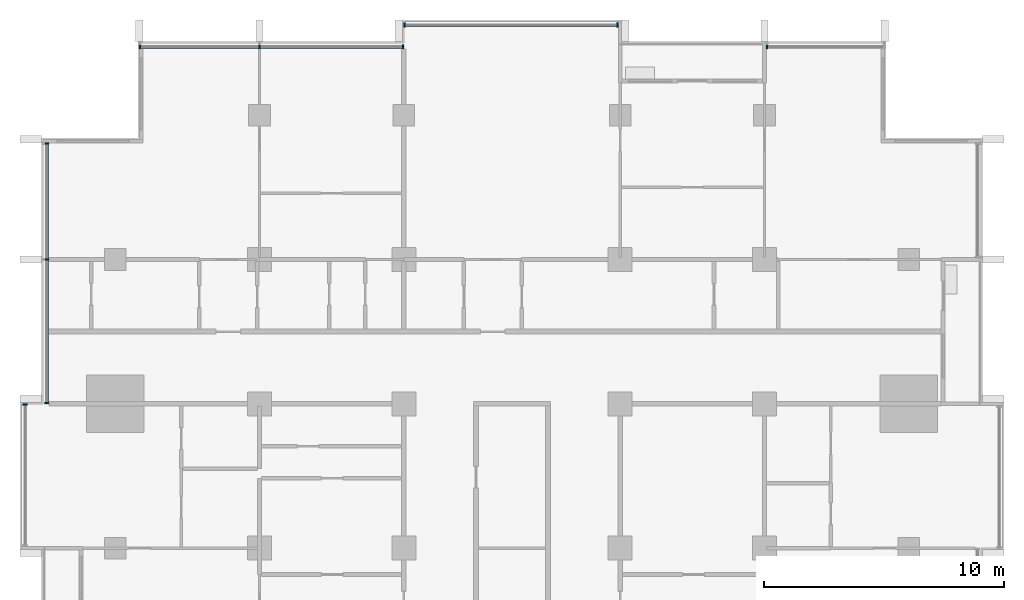
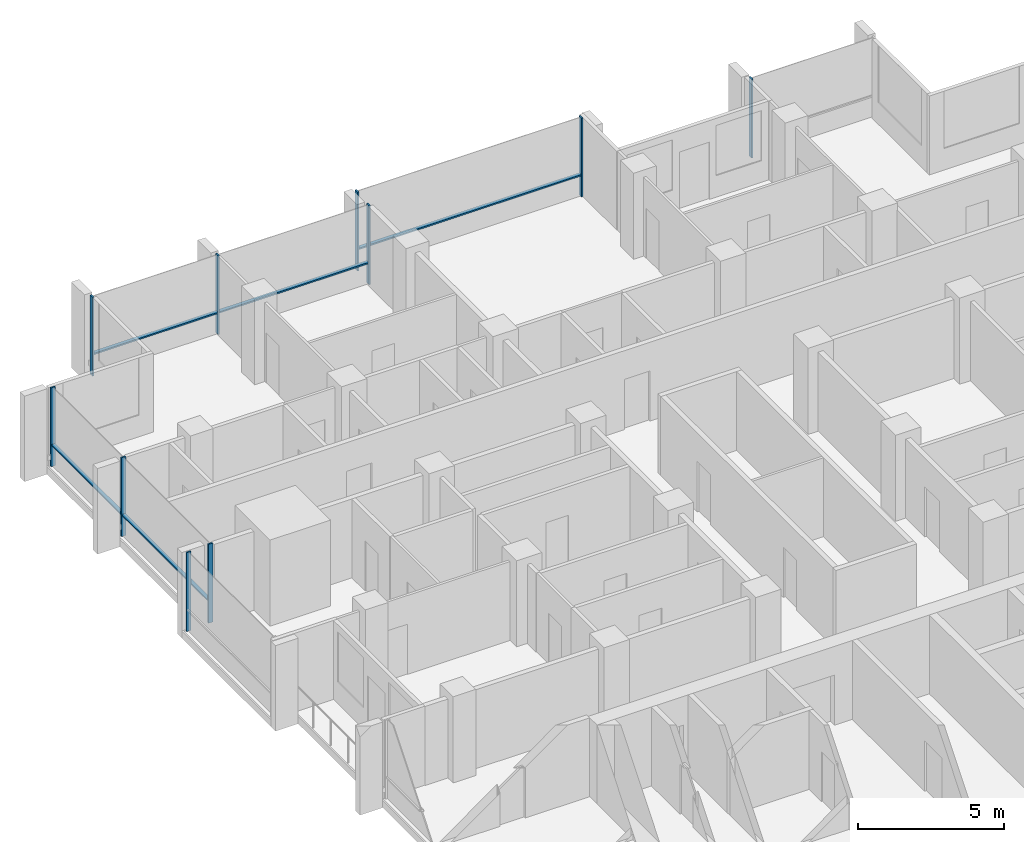
# One storey, part 4 of 17: 15 members, 5 elements without a shape of their own.
"""IFC4 building model written with IfcOpenShell, lengths in metres."""

from ifc_helpers import new_model, si_unit, direction, frame, origin, origin_2d, place, context, subcontext, project, spatial, rectangle, extrude, material, material_profile, profile_set, type_object, element, aggregate, save


model = new_model("IFC4")

# Units and contexts
model_context = context("Model", 3, precision=1e-05, world=origin(), true_north=direction((0.0, 1.0)))
body_context = subcontext(model_context, "Body", "Model", "MODEL_VIEW")
ifc_project = project(units=[si_unit("LENGTHUNIT", "METRE"), si_unit("AREAUNIT", "SQUARE_METRE"), si_unit("VOLUMEUNIT", "CUBIC_METRE"), si_unit("PLANEANGLEUNIT", "RADIAN"), si_unit("MASSUNIT", "GRAM", prefix="KILO")], contexts=[model_context])

# Site, building, storey
site_placement = place(None, origin())
site = spatial("IfcSite", under=ifc_project, at=site_placement, CompositionType="ELEMENT")
building_placement = place(site_placement, origin())
building = spatial("IfcBuilding", under=site, at=building_placement, Name="Finial Court Residences", CompositionType="ELEMENT")
storey_placement = place(building_placement, frame((0.0, 0.0, 192.5)))
storey = spatial("IfcBuildingStorey", under=building, at=storey_placement, Name="L48", CompositionType="ELEMENT", Elevation=192.5)

# Curtain wall, members
ifc_material = material(Name="Bronze anodised aluminium", Category="aluminium")
curtain_wall_type = type_object("IfcCurtainWallType", Name="Unitised curtain wall, upper zones", PredefinedType="NOTDEFINED", material=ifc_material)
curtain_wall_1_placement = place(storey_placement, origin())
curtain_wall_1 = element("IfcCurtainWall", 1, at=curtain_wall_1_placement, inside=storey, type_object=curtain_wall_type, Name="E-L48-CW-N1", PredefinedType="NOTDEFINED")
ifc_material_profile_1 = material_profile(ifc_material, rectangle(XDim=0.175048828125, YDim=0.06005859375, at=origin_2d()), Name="CW2 mullion 60 x 175")
ifc_profile_set_1 = profile_set([ifc_material_profile_1], Name="Bronze anodised aluminium")
member_type_1 = type_object("IfcMemberType", Name="CW2 mullion 60 x 175", PredefinedType="MULLION", material=ifc_profile_set_1)
member_1_placement = place(storey_placement, frame((-15.469970703125, 22.35009765625, 0.0), z_axis=(0.0, 0.0, 1.0), x_axis=(0.0, 1.0, 0.0)))
member_1 = element("IfcMember", 2, at=member_1_placement, type_object=member_type_1, Name="CW2 mullion 1", PredefinedType="MULLION", context=body_context, shape_type="SweptSolid", body=[
    extrude(rectangle(XDim=0.175048828125, YDim=0.06005859375, at=origin_2d()), origin(), (0.0, 0.0, 1.0), 3.300048828125),
])
member_2_placement = place(storey_placement, frame((-10.5, 22.35009765625, 0.0), z_axis=(0.0, 0.0, 1.0), x_axis=(0.0, 1.0, 0.0)))
member_2 = element("IfcMember", 3, at=member_2_placement, type_object=member_type_1, Name="CW2 mullion 2", PredefinedType="MULLION", context=body_context, shape_type="SweptSolid", body=[
    extrude(rectangle(XDim=0.175048828125, YDim=0.06005859375, at=origin_2d()), origin(), (0.0, 0.0, 1.0), 3.300048828125),
])
member_3_placement = place(storey_placement, frame((-4.530029296875, 22.35009765625, 0.0), z_axis=(0.0, 0.0, 1.0), x_axis=(0.0, 1.0, 0.0)))
member_3 = element("IfcMember", 4, at=member_3_placement, type_object=member_type_1, Name="CW2 mullion 3", PredefinedType="MULLION", context=body_context, shape_type="SweptSolid", body=[
    extrude(rectangle(XDim=0.175048828125, YDim=0.06005859375, at=origin_2d()), origin(), (0.0, 0.0, 1.0), 3.300048828125),
])

curtain_wall_2_placement = place(storey_placement, origin())
curtain_wall_2 = element("IfcCurtainWall", 5, at=curtain_wall_2_placement, inside=storey, type_object=curtain_wall_type, Name="E-L48-CW-N2", PredefinedType="NOTDEFINED")
member_4_placement = place(storey_placement, frame((-4.469970703125, 23.25, 0.0), z_axis=(0.0, 0.0, 1.0), x_axis=(0.0, 1.0, 0.0)))
member_4 = element("IfcMember", 6, at=member_4_placement, type_object=member_type_1, Name="CW2 mullion 1", PredefinedType="MULLION", context=body_context, shape_type="SweptSolid", body=[
    extrude(rectangle(XDim=0.175048828125, YDim=0.06005859375, at=origin_2d()), origin(), (0.0, 0.0, 1.0), 3.300048828125),
])
member_5_placement = place(storey_placement, frame((4.39501953125, 23.25, 0.0), z_axis=(0.0, 0.0, 1.0), x_axis=(0.0, 1.0, 0.0)))
member_5 = element("IfcMember", 7, at=member_5_placement, type_object=member_type_1, Name="CW2 mullion 2", PredefinedType="MULLION", context=body_context, shape_type="SweptSolid", body=[
    extrude(rectangle(XDim=0.175048828125, YDim=0.06005859375, at=origin_2d()), origin(), (0.0, 0.0, 1.0), 3.300048828125),
])

# Curtain wall, member
curtain_wall_3_placement = place(storey_placement, origin())
curtain_wall_3 = element("IfcCurtainWall", 8, at=curtain_wall_3_placement, inside=storey, type_object=curtain_wall_type, Name="E-L48-CW-N3", PredefinedType="NOTDEFINED")
member_6_placement = place(storey_placement, frame((10.60498046875, 22.35009765625, 0.0), z_axis=(0.0, 0.0, 1.0), x_axis=(0.0, 1.0, 0.0)))
member_6 = element("IfcMember", 9, at=member_6_placement, type_object=member_type_1, Name="CW2 mullion 1", PredefinedType="MULLION", context=body_context, shape_type="SweptSolid", body=[
    extrude(rectangle(XDim=0.175048828125, YDim=0.06005859375, at=origin_2d()), origin(), (0.0, 0.0, 1.0), 3.300048828125),
])
aggregate(curtain_wall_3, [member_6])

curtain_wall_4_placement = place(storey_placement, origin())
curtain_wall_4 = element("IfcCurtainWall", 10, at=curtain_wall_4_placement, inside=storey, type_object=curtain_wall_type, Name="E-L48-CW-W12", PredefinedType="NOTDEFINED")
member_7_placement = place(storey_placement, frame((-20.25, 7.469970703125, 0.0), z_axis=(0.0, 0.0, 1.0), x_axis=(-1.0, 0.0, 0.0)))
member_7 = element("IfcMember", 11, at=member_7_placement, type_object=member_type_1, Name="CW2 mullion 2", PredefinedType="MULLION", context=body_context, shape_type="SweptSolid", body=[
    extrude(rectangle(XDim=0.175048828125, YDim=0.06005859375, at=origin_2d()), origin(), (0.0, 0.0, 1.0), 3.300048828125),
])
aggregate(curtain_wall_4, [member_7])

# Curtain wall, members
curtain_wall_5_placement = place(storey_placement, origin())
curtain_wall_5 = element("IfcCurtainWall", 12, at=curtain_wall_5_placement, inside=storey, type_object=curtain_wall_type, Name="E-L48-CW-W13", PredefinedType="NOTDEFINED")
member_8_placement = place(storey_placement, frame((-19.35009765625, 7.530029296875, 0.0), z_axis=(0.0, 0.0, 1.0), x_axis=(-1.0, 0.0, 0.0)))
member_8 = element("IfcMember", 13, at=member_8_placement, type_object=member_type_1, Name="CW2 mullion 1", PredefinedType="MULLION", context=body_context, shape_type="SweptSolid", body=[
    extrude(rectangle(XDim=0.175048828125, YDim=0.06005859375, at=origin_2d()), origin(), (0.0, 0.0, 1.0), 3.300048828125),
])
member_9_placement = place(storey_placement, frame((-19.35009765625, 13.5, 0.0), z_axis=(0.0, 0.0, 1.0), x_axis=(-1.0, 0.0, 0.0)))
member_9 = element("IfcMember", 14, at=member_9_placement, type_object=member_type_1, Name="CW2 mullion 2", PredefinedType="MULLION", context=body_context, shape_type="SweptSolid", body=[
    extrude(rectangle(XDim=0.175048828125, YDim=0.06005859375, at=origin_2d()), origin(), (0.0, 0.0, 1.0), 3.300048828125),
])
member_10_placement = place(storey_placement, frame((-19.35009765625, 18.320068359375, 0.0), z_axis=(0.0, 0.0, 1.0), x_axis=(-1.0, 0.0, 0.0)))
member_10 = element("IfcMember", 15, at=member_10_placement, type_object=member_type_1, Name="CW2 mullion 3", PredefinedType="MULLION", context=body_context, shape_type="SweptSolid", body=[
    extrude(rectangle(XDim=0.175048828125, YDim=0.06005859375, at=origin_2d()), origin(), (0.0, 0.0, 1.0), 3.300048828125),
])

# Member
ifc_material_profile_2 = material_profile(ifc_material, rectangle(XDim=0.139892578125, YDim=0.06005859375, at=origin_2d()), Name="CW2 transom 60 x 140")
ifc_profile_set_2 = profile_set([ifc_material_profile_2], Name="Bronze anodised aluminium")
member_type_2 = type_object("IfcMemberType", Name="CW2 transom 60 x 140", PredefinedType="USERDEFINED", material=ifc_profile_set_2)
member_11_placement = place(storey_placement, frame((-15.43994140625, 22.35009765625, 0.89990234375), z_axis=(1.0, 0.0, 0.0), x_axis=(0.0, 1.0, 0.0)))
member_11 = element("IfcMember", 16, at=member_11_placement, type_object=member_type_2, Name="CW2 transom 1.1", ObjectType="TRANSOM", PredefinedType="USERDEFINED", context=body_context, shape_type="SweptSolid", body=[
    extrude(rectangle(XDim=0.139892578125, YDim=0.06005859375, at=origin_2d()), origin(), (0.0, 0.0, 1.0), 4.909912109375),
])

member_12_placement = place(storey_placement, frame((-10.469970703125, 22.35009765625, 0.89990234375), z_axis=(1.0, 0.0, 0.0), x_axis=(0.0, 1.0, 0.0)))
member_12 = element("IfcMember", 17, at=member_12_placement, type_object=member_type_2, Name="CW2 transom 2.1", ObjectType="TRANSOM", PredefinedType="USERDEFINED", context=body_context, shape_type="SweptSolid", body=[
    extrude(rectangle(XDim=0.139892578125, YDim=0.06005859375, at=origin_2d()), origin(), (0.0, 0.0, 1.0), 5.909912109375),
])

aggregate(curtain_wall_1, [member_1, member_2, member_3, member_11, member_12])

member_13_placement = place(storey_placement, frame((-4.43994140625, 23.25, 0.89990234375), z_axis=(1.0, 0.0, 0.0), x_axis=(0.0, 1.0, 0.0)))
member_13 = element("IfcMember", 18, at=member_13_placement, type_object=member_type_2, Name="CW2 transom 1.1", ObjectType="TRANSOM", PredefinedType="USERDEFINED", context=body_context, shape_type="SweptSolid", body=[
    extrude(rectangle(XDim=0.139892578125, YDim=0.06005859375, at=origin_2d()), origin(), (0.0, 0.0, 1.0), 8.804931640625),
])

aggregate(curtain_wall_2, [member_4, member_5, member_13])

member_14_placement = place(storey_placement, frame((-19.35009765625, 7.56005859375, 0.89990234375), z_axis=(0.0, 1.0, 0.0), x_axis=(-1.0, 0.0, 0.0)))
member_14 = element("IfcMember", 19, at=member_14_placement, type_object=member_type_2, Name="CW2 transom 1.1", ObjectType="TRANSOM", PredefinedType="USERDEFINED", context=body_context, shape_type="SweptSolid", body=[
    extrude(rectangle(XDim=0.139892578125, YDim=0.06005859375, at=origin_2d()), origin(), (0.0, 0.0, 1.0), 5.909912109375),
])

member_15_placement = place(storey_placement, frame((-19.35009765625, 13.530029296875, 0.89990234375), z_axis=(0.0, 1.0, 0.0), x_axis=(-1.0, 0.0, 0.0)))
member_15 = element("IfcMember", 20, at=member_15_placement, type_object=member_type_2, Name="CW2 transom 2.1", ObjectType="TRANSOM", PredefinedType="USERDEFINED", context=body_context, shape_type="SweptSolid", body=[
    extrude(rectangle(XDim=0.139892578125, YDim=0.06005859375, at=origin_2d()), origin(), (0.0, 0.0, 1.0), 4.760009765625),
])

aggregate(curtain_wall_5, [member_8, member_9, member_10, member_14, member_15])

save(model, "model.ifc")
